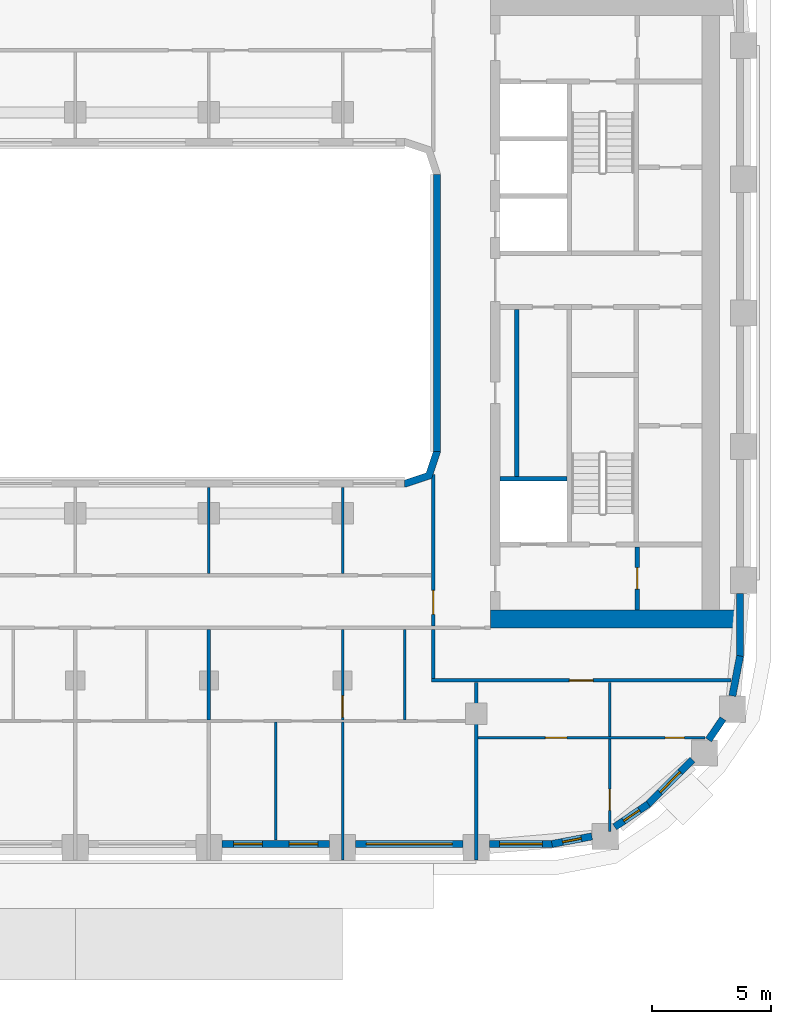
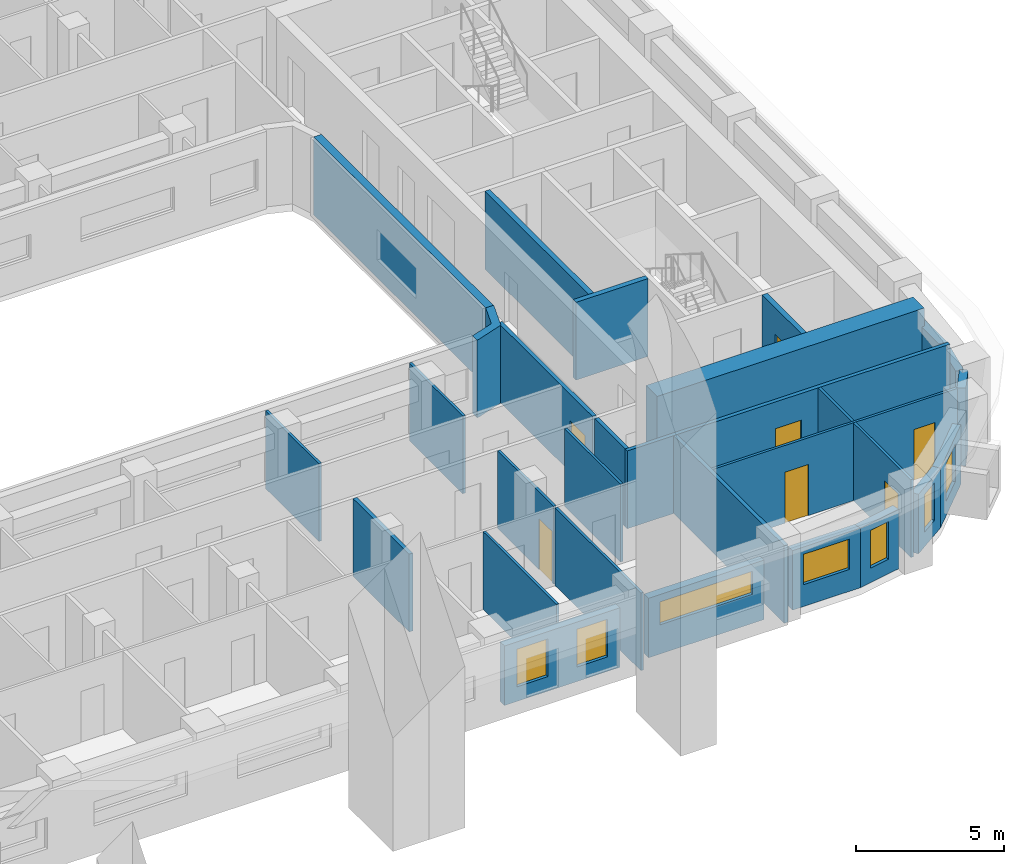
# One storey, part 5 of 18: 29 walls, 7 doors, 7 windows, 14 openings.
"""IFC4 building model written with IfcOpenShell, lengths in metres."""

from ifc_helpers import new_model, si_unit, direction, frame, frame_2d, origin, place, context, subcontext, project, spatial, polyline, rectangle, outline, extrude, material, layer, layer_set, type_object, element, fill, save


model = new_model("IFC4")

# Units and contexts
model_context = context("Model", 3, precision=1e-05, world=origin(), true_north=direction((0.0, 1.0)))
body_context = subcontext(model_context, "Body", "Model", "MODEL_VIEW")
ifc_project = project(units=[si_unit("LENGTHUNIT", "METRE"), si_unit("AREAUNIT", "SQUARE_METRE"), si_unit("VOLUMEUNIT", "CUBIC_METRE"), si_unit("PLANEANGLEUNIT", "RADIAN"), si_unit("MASSUNIT", "GRAM", prefix="KILO")], contexts=[model_context])

# Site, building, storey
site_placement = place(None, origin())
site = spatial("IfcSite", under=ifc_project, at=site_placement, CompositionType="ELEMENT")
building_placement = place(site_placement, origin())
building = spatial("IfcBuilding", under=site, at=building_placement, Name="Kiln Ring Residences", CompositionType="ELEMENT")
storey_placement = place(building_placement, frame((0.0, 0.0, 157.10009765625)))
storey = spatial("IfcBuildingStorey", under=building, at=storey_placement, Name="L40", CompositionType="ELEMENT", Elevation=157.10009765625)

# Wall
ifc_material_1 = material(Name="Gypsum board on steel studs", Category="steel")
ifc_layer_1 = layer(ifc_material_1, 0.199951171875)
ifc_layer_set_1 = layer_set([ifc_layer_1], Name="CORE-PARTITION-200")
wall_type_1 = type_object("IfcWallType", Name="CORE-PARTITION-200", PredefinedType="PARTITIONING", material=ifc_layer_set_1)
wall_1_placement = place(storey_placement, frame((18.5, -6.85009765625, 0.0), z_axis=(0.0, 0.0, 1.0), x_axis=(0.0, 1.0, 0.0)))
element("IfcWall", 1, at=wall_1_placement, inside=storey, type_object=wall_type_1, Name="Core partition east L40 3", PredefinedType="PARTITIONING", context=body_context, shape_type="SweptSolid", body=[
    extrude(rectangle(XDim=7.0, YDim=0.199951171875, at=frame_2d((3.5, 0.0))), origin(), (0.0, 0.0, 1.0), 3.199951171875),
])

# Wall, opening, door
wall_2_placement = place(storey_placement, frame((23.550048828125, -12.449951171875, 0.0), z_axis=(0.0, 0.0, 1.0), x_axis=(0.0, 1.0, 0.0)))
wall_2 = element("IfcWall", 2, at=wall_2_placement, inside=storey, type_object=wall_type_1, Name="Core partition east L40 5", PredefinedType="PARTITIONING", context=body_context, shape_type="SweptSolid", body=[
    extrude(rectangle(XDim=2.64990234375, YDim=0.199951171875, at=frame_2d((1.324951171875, 0.0))), origin(), (0.0, 0.0, 1.0), 3.199951171875),
])
opening_1_placement = place(wall_2_placement, frame((0.875, 0.0, 0.0)))
opening_1 = element("IfcOpeningElement", 3, at=opening_1_placement, cuts=wall_2, Name="Opening L40-CE10", PredefinedType="OPENING", context=body_context, shape_type="SweptSolid", body=[
    extrude(rectangle(XDim=0.89990234375, YDim=2.10009765625, at=frame_2d((0.449951171875, 1.050048828125))), frame((0.0, 0.10986328125, 0.0), z_axis=(0.0, -1.0, 0.0), x_axis=(1.0, 0.0, 0.0)), (0.0, 0.0, 1.0), 0.219970703125),
])
ifc_material_2 = material(Name="Steel door leaf", Category="steel")
door_type_1 = type_object("IfcDoorType", Name="CORE-DOOR-ROOM", OperationType="SINGLE_SWING_LEFT", PredefinedType="DOOR", material=ifc_material_2)
door_1_placement = place(opening_1_placement, origin())
door_1 = element("IfcDoor", 4, at=door_1_placement, inside=storey, type_object=door_type_1, Name="Store L40-CE10", OperationType="SINGLE_SWING_LEFT", OverallHeight=2.10009765625, OverallWidth=0.89990234375, PredefinedType="DOOR", context=body_context, shape_type="SweptSolid", body=[
    extrude(rectangle(XDim=0.89990234375, YDim=2.10009765625, at=frame_2d((0.449951171875, 1.050048828125))), frame((0.0, 0.02490234375, 0.0), z_axis=(0.0, -1.0, 0.0), x_axis=(1.0, 0.0, 0.0)), (0.0, 0.0, 1.0), 0.050048828125),
])
fill(opening_1, door_1)

# Walls
ifc_material_3 = material(Name="Gypsum shaft wall system")
ifc_layer_2 = layer(ifc_material_3, 0.199951171875)
ifc_layer_set_2 = layer_set([ifc_layer_2], Name="CORE-SHAFT-WALL-200")
wall_type_2 = type_object("IfcWallType", Name="CORE-SHAFT-WALL-200", PredefinedType="PARTITIONING", material=ifc_layer_set_2)
wall_3_placement = place(storey_placement, frame((17.800048828125, -6.949951171875, 0.0), z_axis=(0.0, 0.0, 1.0), x_axis=(1.0, 0.0, 0.0)))
element("IfcWall", 5, at=wall_3_placement, inside=storey, type_object=wall_type_2, Name="Core partition east L40 8", PredefinedType="PARTITIONING", context=body_context, shape_type="SweptSolid", body=[
    extrude(rectangle(XDim=2.800048828125, YDim=0.199951171875, at=frame_2d((1.39990234375, 0.0))), origin(), (0.0, 0.0, 1.0), 3.199951171875),
])
ifc_material_4 = material(Name="Concrete C60/75", Category="concrete")
ifc_layer_3 = layer(ifc_material_4, 0.75)
ifc_layer_set_3 = layer_set([ifc_layer_3], Name="CORE-WALL-RC750")
wall_type_3 = type_object("IfcWallType", Name="CORE-WALL-RC750", PredefinedType="SHEAR", material=ifc_layer_set_3)
wall_4_placement = place(storey_placement, frame((17.39990234375, -12.824951171875, 0.0), z_axis=(0.0, 0.0, 1.0), x_axis=(1.0, 0.0, 0.0)))
element("IfcWall", 6, at=wall_4_placement, inside=storey, type_object=wall_type_3, Name="Core wall east L40 5", PredefinedType="SHEAR", context=body_context, shape_type="SweptSolid", body=[
    extrude(rectangle(XDim=10.400146484375, YDim=0.75, at=frame_2d((5.2001953125, 0.0))), origin(), (0.0, 0.0, 1.0), 3.199951171875),
])

# Wall, openings, windows
ifc_material_5 = material(Name="Brick masonry, dark clay brick", Category="masonry")
ifc_layer_4 = layer(ifc_material_5, 0.300048828125)
ifc_layer_set_4 = layer_set([ifc_layer_4], Name="EW-300 BRICK WALL")
wall_type_4 = type_object("IfcWallType", Name="EW-300 BRICK WALL", PredefinedType="SOLIDWALL", material=ifc_layer_set_4)
wall_5_placement = place(storey_placement, frame((6.14990234375, -22.25, 0.0), z_axis=(0.0, 0.0, 1.0), x_axis=(1.0, 0.0, 0.0)))
wall_5 = element("IfcWall", 7, at=wall_5_placement, inside=storey, type_object=wall_type_4, Name="Facade wall L40 9", PredefinedType="SOLIDWALL", context=body_context, shape_type="SweptSolid", body=[
    extrude(rectangle(XDim=4.5, YDim=0.300048828125, at=frame_2d((2.25, 0.0))), origin(), (0.0, 0.0, 1.0), 2.449951171875),
])
opening_2_placement = place(wall_5_placement, frame((0.487548828125, 0.0, 0.60009765625)))
opening_2 = element("IfcOpeningElement", 8, at=opening_2_placement, cuts=wall_5, Name="Opening W1", PredefinedType="OPENING", context=body_context, shape_type="SweptSolid", body=[
    extrude(rectangle(XDim=1.199951171875, YDim=1.550048828125, at=frame_2d((0.60009765625, 0.77490234375))), frame((0.0, 0.159912109375, 0.0), z_axis=(0.0, -1.0, 0.0), x_axis=(1.0, 0.0, 0.0)), (0.0, 0.0, 1.0), 0.320068359375),
])
opening_3_placement = place(wall_5_placement, frame((2.8125, 0.0, 0.60009765625)))
opening_3 = element("IfcOpeningElement", 9, at=opening_3_placement, cuts=wall_5, Name="Opening W1", PredefinedType="OPENING", context=body_context, shape_type="SweptSolid", body=[
    extrude(rectangle(XDim=1.199951171875, YDim=1.550048828125, at=frame_2d((0.60009765625, 0.77490234375))), frame((0.0, 0.159912109375, 0.0), z_axis=(0.0, -1.0, 0.0), x_axis=(1.0, 0.0, 0.0)), (0.0, 0.0, 1.0), 0.320068359375),
])
ifc_material_6 = material(Name="Aluminium frame with double glazing", Category="aluminium")
window_type_1 = type_object("IfcWindowType", Name="WINDOW 1200 x 1550", PartitioningType="SINGLE_PANEL", PredefinedType="WINDOW", material=ifc_material_6)
window_1_placement = place(opening_2_placement, origin())
window_1 = element("IfcWindow", 10, at=window_1_placement, inside=storey, type_object=window_type_1, Name="Window L40 9", OverallHeight=1.550048828125, OverallWidth=1.199951171875, PartitioningType="SINGLE_PANEL", PredefinedType="WINDOW", context=body_context, shape_type="SweptSolid", body=[
    extrude(rectangle(XDim=1.199951171875, YDim=1.550048828125, at=frame_2d((0.60009765625, 0.77490234375))), frame((0.0, 0.030029296875, 0.0), z_axis=(0.0, -1.0, 0.0), x_axis=(1.0, 0.0, 0.0)), (0.0, 0.0, 1.0), 0.06005859375),
])
fill(opening_2, window_1)
window_2_placement = place(opening_3_placement, origin())
window_2 = element("IfcWindow", 11, at=window_2_placement, inside=storey, type_object=window_type_1, Name="Window L40 10", OverallHeight=1.550048828125, OverallWidth=1.199951171875, PartitioningType="SINGLE_PANEL", PredefinedType="WINDOW", context=body_context, shape_type="SweptSolid", body=[
    extrude(rectangle(XDim=1.199951171875, YDim=1.550048828125, at=frame_2d((0.60009765625, 0.77490234375))), frame((0.0, 0.030029296875, 0.0), z_axis=(0.0, -1.0, 0.0), x_axis=(1.0, 0.0, 0.0)), (0.0, 0.0, 1.0), 0.06005859375),
])
fill(opening_3, window_2)

# Wall, opening, window
wall_6_placement = place(storey_placement, frame((11.75, -22.25, 0.0), z_axis=(0.0, 0.0, 1.0), x_axis=(1.0, 0.0, 0.0)))
wall_6 = element("IfcWall", 12, at=wall_6_placement, inside=storey, type_object=wall_type_4, Name="Facade wall L40 10", PredefinedType="SOLIDWALL", context=body_context, shape_type="SweptSolid", body=[
    extrude(rectangle(XDim=4.5, YDim=0.300048828125, at=frame_2d((2.25, 0.0))), origin(), (0.0, 0.0, 1.0), 2.449951171875),
])
opening_4_placement = place(wall_6_placement, frame((0.449951171875, 0.0, 1.199951171875)))
opening_4 = element("IfcOpeningElement", 13, at=opening_4_placement, cuts=wall_6, Name="Opening W4", PredefinedType="OPENING", context=body_context, shape_type="SweptSolid", body=[
    extrude(rectangle(XDim=3.60009765625, YDim=0.949951171875, at=frame_2d((1.800048828125, 0.47509765625))), frame((0.0, 0.159912109375, 0.0), z_axis=(0.0, -1.0, 0.0), x_axis=(1.0, 0.0, 0.0)), (0.0, 0.0, 1.0), 0.320068359375),
])
ifc_material_7 = material(Name="Aluminium frame with double glazing", Category="aluminium")
window_type_2 = type_object("IfcWindowType", Name="WINDOW 3600 x 950", PartitioningType="SINGLE_PANEL", PredefinedType="WINDOW", material=ifc_material_7)
window_3_placement = place(opening_4_placement, origin())
window_3 = element("IfcWindow", 14, at=window_3_placement, inside=storey, type_object=window_type_2, Name="Window L40 11", OverallHeight=0.949951171875, OverallWidth=3.60009765625, PartitioningType="SINGLE_PANEL", PredefinedType="WINDOW", context=body_context, shape_type="SweptSolid", body=[
    extrude(rectangle(XDim=3.60009765625, YDim=0.949951171875, at=frame_2d((1.800048828125, 0.47509765625))), frame((0.0, 0.030029296875, 0.0), z_axis=(0.0, -1.0, 0.0), x_axis=(1.0, 0.0, 0.0)), (0.0, 0.0, 1.0), 0.06005859375),
])
fill(opening_4, window_3)

wall_7_placement = place(storey_placement, frame((17.35009765625, -22.25, 0.0), z_axis=(0.0, 0.0, 1.0), x_axis=(1.0, 0.0, 0.0)))
wall_7 = element("IfcWall", 15, at=wall_7_placement, inside=storey, type_object=wall_type_4, Name="Facade wall L40 11", PredefinedType="SOLIDWALL", context=body_context, shape_type="SweptSolid", body=[
    extrude(rectangle(XDim=2.64990234375, YDim=0.300048828125, at=frame_2d((1.324951171875, 0.0))), origin(), (0.0, 0.0, 1.0), 2.449951171875),
])
opening_5_placement = place(wall_7_placement, frame((0.425048828125, 0.0, 0.89990234375)))
opening_5 = element("IfcOpeningElement", 16, at=opening_5_placement, cuts=wall_7, Name="Opening W2", PredefinedType="OPENING", context=body_context, shape_type="SweptSolid", body=[
    extrude(rectangle(XDim=1.800048828125, YDim=1.25, at=frame_2d((0.89990234375, 0.625))), frame((0.0, 0.159912109375, 0.0), z_axis=(0.0, -1.0, 0.0), x_axis=(1.0, 0.0, 0.0)), (0.0, 0.0, 1.0), 0.320068359375),
])
ifc_material_8 = material(Name="Aluminium frame with double glazing", Category="aluminium")
window_type_3 = type_object("IfcWindowType", Name="WINDOW 1800 x 1250", PartitioningType="SINGLE_PANEL", PredefinedType="WINDOW", material=ifc_material_8)
window_4_placement = place(opening_5_placement, origin())
window_4 = element("IfcWindow", 17, at=window_4_placement, inside=storey, type_object=window_type_3, Name="Window L40 12", OverallHeight=1.25, OverallWidth=1.800048828125, PartitioningType="SINGLE_PANEL", PredefinedType="WINDOW", context=body_context, shape_type="SweptSolid", body=[
    extrude(rectangle(XDim=1.800048828125, YDim=1.25, at=frame_2d((0.89990234375, 0.625))), frame((0.0, 0.030029296875, 0.0), z_axis=(0.0, -1.0, 0.0), x_axis=(1.0, 0.0, 0.0)), (0.0, 0.0, 1.0), 0.06005859375),
])
fill(opening_5, window_4)

wall_8_placement = place(storey_placement, frame((19.971923828125, -22.252685546875, 0.0), z_axis=(0.0, 0.0, 1.0), x_axis=(0.982297206936, 0.187329114784, 0.0)))
wall_8 = element("IfcWall", 18, at=wall_8_placement, inside=storey, type_object=wall_type_4, Name="Facade wall L40 12", PredefinedType="SOLIDWALL", context=body_context, shape_type="SweptSolid", body=[
    extrude(rectangle(XDim=1.7060546875, YDim=0.300048828125, at=frame_2d((0.85302734375, 0.0))), origin(), (0.0, 0.0, 1.0), 2.449951171875),
])
opening_6_placement = place(wall_8_placement, frame((0.453125, 0.0, 0.60009765625)))
opening_6 = element("IfcOpeningElement", 19, at=opening_6_placement, cuts=wall_8, Name="Opening W5", PredefinedType="OPENING", context=body_context, shape_type="SweptSolid", body=[
    extrude(rectangle(XDim=0.800048828125, YDim=1.550048828125, at=frame_2d((0.39990234375, 0.77490234375))), frame((0.0, 0.159912109375, 0.0), z_axis=(0.0, -1.0, 0.0), x_axis=(1.0, 0.0, 0.0)), (0.0, 0.0, 1.0), 0.320068359375),
])
ifc_material_9 = material(Name="Aluminium frame with double glazing", Category="aluminium")
window_type_4 = type_object("IfcWindowType", Name="WINDOW 800 x 1550", PartitioningType="SINGLE_PANEL", PredefinedType="WINDOW", material=ifc_material_9)
window_5_placement = place(opening_6_placement, origin())
window_5 = element("IfcWindow", 20, at=window_5_placement, inside=storey, type_object=window_type_4, Name="Window L40 13", OverallHeight=1.550048828125, OverallWidth=0.800048828125, PartitioningType="SINGLE_PANEL", PredefinedType="WINDOW", context=body_context, shape_type="SweptSolid", body=[
    extrude(rectangle(XDim=0.800048828125, YDim=1.550048828125, at=frame_2d((0.39990234375, 0.77490234375))), frame((0.0, 0.030029296875, 0.0), z_axis=(0.0, -1.0, 0.0), x_axis=(1.0, 0.0, 0.0)), (0.0, 0.0, 1.0), 0.06005859375),
])
fill(opening_6, window_5)

wall_9_placement = place(storey_placement, frame((22.601806640625, -21.537841796875, 0.0), z_axis=(0.0, 0.0, 1.0), x_axis=(0.827040942766, 0.562141689424, 0.0)))
wall_9 = element("IfcWall", 21, at=wall_9_placement, inside=storey, type_object=wall_type_4, Name="Facade wall L40 13", PredefinedType="SOLIDWALL", context=body_context, shape_type="SweptSolid", body=[
    extrude(rectangle(XDim=1.7060546875, YDim=0.300048828125, at=frame_2d((0.85302734375, 0.0))), origin(), (0.0, 0.0, 1.0), 2.449951171875),
])
opening_7_placement = place(wall_9_placement, frame((0.453125, 0.0, 0.60009765625)))
opening_7 = element("IfcOpeningElement", 22, at=opening_7_placement, cuts=wall_9, Name="Opening W5", PredefinedType="OPENING", context=body_context, shape_type="SweptSolid", body=[
    extrude(rectangle(XDim=0.800048828125, YDim=1.550048828125, at=frame_2d((0.39990234375, 0.77490234375))), frame((0.0, 0.159912109375, 0.0), z_axis=(0.0, -1.0, 0.0), x_axis=(1.0, 0.0, 0.0)), (0.0, 0.0, 1.0), 0.320068359375),
])
window_6_placement = place(opening_7_placement, origin())
window_6 = element("IfcWindow", 23, at=window_6_placement, inside=storey, type_object=window_type_4, Name="Window L40 14", OverallHeight=1.550048828125, OverallWidth=0.800048828125, PartitioningType="SINGLE_PANEL", PredefinedType="WINDOW", context=body_context, shape_type="SweptSolid", body=[
    extrude(rectangle(XDim=0.800048828125, YDim=1.550048828125, at=frame_2d((0.39990234375, 0.77490234375))), frame((0.0, 0.030029296875, 0.0), z_axis=(0.0, -1.0, 0.0), x_axis=(1.0, 0.0, 0.0)), (0.0, 0.0, 1.0), 0.06005859375),
])
fill(opening_7, window_6)

wall_10_placement = place(storey_placement, frame((23.990966796875, -20.596923828125, 0.0), z_axis=(0.0, 0.0, 1.0), x_axis=(0.707106781187, 0.707106781187, 0.0)))
wall_10 = element("IfcWall", 24, at=wall_10_placement, inside=storey, type_object=wall_type_4, Name="Facade wall L40 14", PredefinedType="SOLIDWALL", context=body_context, shape_type="SweptSolid", body=[
    extrude(rectangle(XDim=2.64990234375, YDim=0.300048828125, at=frame_2d((1.324951171875, 0.0))), origin(), (0.0, 0.0, 1.0), 2.449951171875),
])
opening_8_placement = place(wall_10_placement, frame((0.72509765625, 0.0, 0.60009765625)))
opening_8 = element("IfcOpeningElement", 25, at=opening_8_placement, cuts=wall_10, Name="Opening W1", PredefinedType="OPENING", context=body_context, shape_type="SweptSolid", body=[
    extrude(rectangle(XDim=1.199951171875, YDim=1.550048828125, at=frame_2d((0.60009765625, 0.77490234375))), frame((0.0, 0.159912109375, 0.0), z_axis=(0.0, -1.0, 0.0), x_axis=(1.0, 0.0, 0.0)), (0.0, 0.0, 1.0), 0.320068359375),
])
window_7_placement = place(opening_8_placement, origin())
window_7 = element("IfcWindow", 26, at=window_7_placement, inside=storey, type_object=window_type_1, Name="Window L40 15", OverallHeight=1.550048828125, OverallWidth=1.199951171875, PartitioningType="SINGLE_PANEL", PredefinedType="WINDOW", context=body_context, shape_type="SweptSolid", body=[
    extrude(rectangle(XDim=1.199951171875, YDim=1.550048828125, at=frame_2d((0.60009765625, 0.77490234375))), frame((0.0, 0.030029296875, 0.0), z_axis=(0.0, -1.0, 0.0), x_axis=(1.0, 0.0, 0.0)), (0.0, 0.0, 1.0), 0.06005859375),
])
fill(opening_8, window_7)

# Walls
wall_11_placement = place(storey_placement, frame((26.532470703125, -17.892578125, 0.0), z_axis=(0.0, 0.0, 1.0), x_axis=(0.562105419172, 0.82706559458, 0.0)))
element("IfcWall", 27, at=wall_11_placement, inside=storey, type_object=wall_type_4, Name="Facade wall L40 15", PredefinedType="SOLIDWALL", context=body_context, shape_type="SweptSolid", body=[
    extrude(rectangle(XDim=1.0771484375, YDim=0.300048828125, at=frame_2d((0.53857421875, 0.0))), origin(), (0.0, 0.0, 1.0), 3.199951171875),
])
wall_12_placement = place(storey_placement, frame((27.532958984375, -16.0478515625, 0.0), z_axis=(0.0, 0.0, 1.0), x_axis=(0.187302784601, 0.982302227871, 0.0)))
element("IfcWall", 28, at=wall_12_placement, inside=storey, type_object=wall_type_4, Name="Facade wall L40 16", PredefinedType="SOLIDWALL", context=body_context, shape_type="SweptSolid", body=[
    extrude(rectangle(XDim=1.706298828125, YDim=0.300048828125, at=frame_2d((0.85302734375, 0.0))), origin(), (0.0, 0.0, 1.0), 2.449951171875),
])
wall_13_placement = place(storey_placement, frame((27.85009765625, -14.39990234375, 0.0), z_axis=(0.0, 0.0, 1.0), x_axis=(0.0, 1.0, 0.0)))
element("IfcWall", 29, at=wall_13_placement, inside=storey, type_object=wall_type_4, Name="Facade wall L40 17", PredefinedType="SOLIDWALL", context=body_context, shape_type="SweptSolid", body=[
    extrude(rectangle(XDim=2.64990234375, YDim=0.300048828125, at=frame_2d((1.324951171875, 0.0))), origin(), (0.0, 0.0, 1.0), 2.449951171875),
])
wall_14_placement = place(storey_placement, frame((15.14990234375, 5.800048828125, 0.0), z_axis=(0.0, 0.0, 1.0), x_axis=(0.0, -1.0, 0.0)))
element("IfcWall", 30, at=wall_14_placement, inside=storey, type_object=wall_type_4, Name="Facade wall L40 51", PredefinedType="SOLIDWALL", context=body_context, shape_type="SweptSolid", body=[
    extrude(rectangle(XDim=11.60009765625, YDim=0.300048828125, at=frame_2d((5.800048828125, 0.0))), origin(), (0.0, 0.0, 1.0), 3.199951171875),
])
wall_15_placement = place(storey_placement, origin())
element("IfcWall", 31, at=wall_15_placement, inside=storey, type_object=wall_type_4, Name="Corner wall L40 3", PredefinedType="SOLIDWALL", context=body_context, shape_type="SweptSolid", body=[
    extrude(outline(polyline([(14.937255859375, -6.937255859375), (15.300048828125, -5.8486328125), (15.300048828125, -5.800048828125), (15.0, -5.800048828125), (14.699951171875, -6.699951171875), (13.800048828125, -7.0), (13.800048828125, -7.300048828125), (13.8486328125, -7.300048828125), (14.937255859375, -6.937255859375)])), origin(), (0.0, 0.0, 1.0), 3.199951171875),
])

# Wall, openings, doors
ifc_material_10 = material(Name="Gypsum board on steel studs", Category="steel")
ifc_layer_5 = layer(ifc_material_10, 0.10009765625)
ifc_layer_set_5 = layer_set([ifc_layer_5], Name="PARTITION-100")
wall_type_5 = type_object("IfcWallType", Name="PARTITION-100", PredefinedType="PARTITIONING", material=ifc_layer_set_5)
wall_16_placement = place(storey_placement, frame((16.875, -17.800048828125, 0.0), z_axis=(0.0, 0.0, 1.0), x_axis=(1.0, 0.0, 0.0)))
wall_16 = element("IfcWall", 32, at=wall_16_placement, inside=storey, type_object=wall_type_5, Name="Partition 001", PredefinedType="PARTITIONING", context=body_context, shape_type="SweptSolid", body=[
    extrude(rectangle(XDim=9.51904296875, YDim=0.10009765625, at=frame_2d((4.759521484375, 0.0))), origin(), (0.0, 0.0, 1.0), 3.199951171875),
])
opening_9_placement = place(wall_16_placement, frame((7.843017578125, 0.0, 0.0)))
opening_9 = element("IfcOpeningElement", 33, at=opening_9_placement, cuts=wall_16, Name="Opening L40-D067", PredefinedType="OPENING", context=body_context, shape_type="SweptSolid", body=[
    extrude(rectangle(XDim=0.800048828125, YDim=2.10009765625, at=frame_2d((0.39990234375, 1.050048828125))), frame((0.0, 0.06005859375, 0.0), z_axis=(0.0, -1.0, 0.0), x_axis=(1.0, 0.0, 0.0)), (0.0, 0.0, 1.0), 0.1201171875),
])
opening_10_placement = place(wall_16_placement, frame((2.824951171875, 0.0, 0.0)))
opening_10 = element("IfcOpeningElement", 34, at=opening_10_placement, cuts=wall_16, Name="Opening L40-D068", PredefinedType="OPENING", context=body_context, shape_type="SweptSolid", body=[
    extrude(rectangle(XDim=0.89990234375, YDim=2.10009765625, at=frame_2d((0.449951171875, 1.050048828125))), frame((0.0, 0.06005859375, 0.0), z_axis=(0.0, -1.0, 0.0), x_axis=(1.0, 0.0, 0.0)), (0.0, 0.0, 1.0), 0.1201171875),
])
ifc_material_11 = material(Name="Timber door leaf", Category="wood")
door_type_2 = type_object("IfcDoorType", Name="FLAT-DOOR-800-PL", OperationType="SINGLE_SWING_LEFT", PredefinedType="DOOR", material=ifc_material_11)
door_2_placement = place(opening_9_placement, origin())
door_2 = element("IfcDoor", 35, at=door_2_placement, inside=storey, type_object=door_type_2, Name="Door L40-D067", OperationType="SINGLE_SWING_LEFT", OverallHeight=2.10009765625, OverallWidth=0.800048828125, PredefinedType="DOOR", context=body_context, shape_type="SweptSolid", body=[
    extrude(rectangle(XDim=0.800048828125, YDim=2.10009765625, at=frame_2d((0.39990234375, 1.050048828125))), frame((0.0, 0.02490234375, 0.0), z_axis=(0.0, -1.0, 0.0), x_axis=(1.0, 0.0, 0.0)), (0.0, 0.0, 1.0), 0.050048828125),
])
fill(opening_9, door_2)
ifc_material_12 = material(Name="Timber door leaf", Category="wood")
door_type_3 = type_object("IfcDoorType", Name="FLAT-DOOR-900-PL", OperationType="SINGLE_SWING_LEFT", PredefinedType="DOOR", material=ifc_material_12)
door_3_placement = place(opening_10_placement, origin())
door_3 = element("IfcDoor", 36, at=door_3_placement, inside=storey, type_object=door_type_3, Name="Door L40-D068", OperationType="SINGLE_SWING_RIGHT", OverallHeight=2.10009765625, OverallWidth=0.89990234375, PredefinedType="DOOR", context=body_context, shape_type="SweptSolid", body=[
    extrude(rectangle(XDim=0.89990234375, YDim=2.10009765625, at=frame_2d((0.449951171875, 1.050048828125))), frame((0.0, 0.02490234375, 0.0), z_axis=(0.0, -1.0, 0.0), x_axis=(1.0, 0.0, 0.0)), (0.0, 0.0, 1.0), 0.050048828125),
])
fill(opening_10, door_3)

# Walls
wall_17_placement = place(storey_placement, frame((5.60009765625, -10.925048828125, 0.0), z_axis=(0.0, 0.0, 1.0), x_axis=(0.0, 1.0, 0.0)))
element("IfcWall", 37, at=wall_17_placement, inside=storey, type_object=wall_type_5, Name="Partition 050", PredefinedType="PARTITIONING", context=body_context, shape_type="SweptSolid", body=[
    extrude(rectangle(XDim=3.60498046875, YDim=0.10009765625, at=frame_2d((1.802490234375, 0.0))), origin(), (0.0, 0.0, 1.0), 3.199951171875),
])
wall_18_placement = place(storey_placement, frame((8.39990234375, -22.080078125, 0.0), z_axis=(0.0, 0.0, 1.0), x_axis=(0.0, 1.0, 0.0)))
element("IfcWall", 38, at=wall_18_placement, inside=storey, type_object=wall_type_5, Name="Partition 056", PredefinedType="PARTITIONING", context=body_context, shape_type="SweptSolid", body=[
    extrude(rectangle(XDim=4.93017578125, YDim=0.10009765625, at=frame_2d((2.465087890625, 0.0))), origin(), (0.0, 0.0, 1.0), 3.199951171875),
])
wall_19_placement = place(storey_placement, frame((11.199951171875, -22.929931640625, 0.0), z_axis=(0.0, 0.0, 1.0), x_axis=(0.0, 1.0, 0.0)))
element("IfcWall", 39, at=wall_19_placement, inside=storey, type_object=wall_type_5, Name="Partition 059", PredefinedType="PARTITIONING", context=body_context, shape_type="SweptSolid", body=[
    extrude(rectangle(XDim=5.780029296875, YDim=0.10009765625, at=frame_2d((2.89013671875, 0.0))), origin(), (0.0, 0.0, 1.0), 3.199951171875),
])

# Wall, opening, door
wall_20_placement = place(storey_placement, frame((11.199951171875, -17.050048828125, 0.0), z_axis=(0.0, 0.0, 1.0), x_axis=(0.0, 1.0, 0.0)))
wall_20 = element("IfcWall", 40, at=wall_20_placement, inside=storey, type_object=wall_type_5, Name="Partition 060", PredefinedType="PARTITIONING", context=body_context, shape_type="SweptSolid", body=[
    extrude(rectangle(XDim=3.775146484375, YDim=0.10009765625, at=frame_2d((1.8876953125, 0.0))), origin(), (0.0, 0.0, 1.0), 3.199951171875),
])
opening_11_placement = place(wall_20_placement, frame((0.10009765625, 0.0, 0.0)))
opening_11 = element("IfcOpeningElement", 41, at=opening_11_placement, cuts=wall_20, Name="Opening L40-D061", PredefinedType="OPENING", context=body_context, shape_type="SweptSolid", body=[
    extrude(rectangle(XDim=0.89990234375, YDim=2.10009765625, at=frame_2d((0.449951171875, 1.050048828125))), frame((0.0, 0.06005859375, 0.0), z_axis=(0.0, -1.0, 0.0), x_axis=(1.0, 0.0, 0.0)), (0.0, 0.0, 1.0), 0.1201171875),
])
door_4_placement = place(opening_11_placement, origin())
door_4 = element("IfcDoor", 42, at=door_4_placement, inside=storey, type_object=door_type_3, Name="Door L40-D061", OperationType="SINGLE_SWING_LEFT", OverallHeight=2.10009765625, OverallWidth=0.89990234375, PredefinedType="DOOR", context=body_context, shape_type="SweptSolid", body=[
    extrude(rectangle(XDim=0.89990234375, YDim=2.10009765625, at=frame_2d((0.449951171875, 1.050048828125))), frame((0.0, 0.02490234375, 0.0), z_axis=(0.0, -1.0, 0.0), x_axis=(1.0, 0.0, 0.0)), (0.0, 0.0, 1.0), 0.050048828125),
])
fill(opening_11, door_4)

# Walls
wall_21_placement = place(storey_placement, frame((11.199951171875, -10.925048828125, 0.0), z_axis=(0.0, 0.0, 1.0), x_axis=(0.0, 1.0, 0.0)))
element("IfcWall", 43, at=wall_21_placement, inside=storey, type_object=wall_type_5, Name="Partition 061", PredefinedType="PARTITIONING", context=body_context, shape_type="SweptSolid", body=[
    extrude(rectangle(XDim=3.60498046875, YDim=0.10009765625, at=frame_2d((1.802490234375, 0.0))), origin(), (0.0, 0.0, 1.0), 3.199951171875),
])
wall_22_placement = place(storey_placement, frame((13.800048828125, -17.050048828125, 0.0), z_axis=(0.0, 0.0, 1.0), x_axis=(0.0, 1.0, 0.0)))
element("IfcWall", 44, at=wall_22_placement, inside=storey, type_object=wall_type_5, Name="Partition 065", PredefinedType="PARTITIONING", context=body_context, shape_type="SweptSolid", body=[
    extrude(rectangle(XDim=3.775146484375, YDim=0.10009765625, at=frame_2d((1.8876953125, 0.0))), origin(), (0.0, 0.0, 1.0), 3.199951171875),
])

# Wall, opening, door
wall_23_placement = place(storey_placement, frame((22.39990234375, -21.719970703125, 0.0), z_axis=(0.0, 0.0, 1.0), x_axis=(0.0, 1.0, 0.0)))
wall_23 = element("IfcWall", 45, at=wall_23_placement, inside=storey, type_object=wall_type_5, Name="Partition 073", PredefinedType="PARTITIONING", context=body_context, shape_type="SweptSolid", body=[
    extrude(rectangle(XDim=3.869873046875, YDim=0.10009765625, at=frame_2d((1.93505859375, 0.0))), origin(), (0.0, 0.0, 1.0), 3.199951171875),
])
opening_12_placement = place(wall_23_placement, frame((0.8720703125, 0.0, 0.0)))
opening_12 = element("IfcOpeningElement", 46, at=opening_12_placement, cuts=wall_23, Name="Opening L40-D069", PredefinedType="OPENING", context=body_context, shape_type="SweptSolid", body=[
    extrude(rectangle(XDim=0.89990234375, YDim=2.10009765625, at=frame_2d((0.449951171875, 1.050048828125))), frame((0.0, 0.06005859375, 0.0), z_axis=(0.0, -1.0, 0.0), x_axis=(1.0, 0.0, 0.0)), (0.0, 0.0, 1.0), 0.1201171875),
])
door_5_placement = place(opening_12_placement, origin())
door_5 = element("IfcDoor", 47, at=door_5_placement, inside=storey, type_object=door_type_3, Name="Door L40-D069", OperationType="SINGLE_SWING_LEFT", OverallHeight=2.10009765625, OverallWidth=0.89990234375, PredefinedType="DOOR", context=body_context, shape_type="SweptSolid", body=[
    extrude(rectangle(XDim=0.89990234375, YDim=2.10009765625, at=frame_2d((0.449951171875, 1.050048828125))), frame((0.0, 0.02490234375, 0.0), z_axis=(0.0, -1.0, 0.0), x_axis=(1.0, 0.0, 0.0)), (0.0, 0.0, 1.0), 0.050048828125),
])
fill(opening_12, door_5)

# Wall
wall_24_placement = place(storey_placement, frame((22.39990234375, -17.75, 0.0), z_axis=(0.0, 0.0, 1.0), x_axis=(0.0, 1.0, 0.0)))
element("IfcWall", 48, at=wall_24_placement, inside=storey, type_object=wall_type_5, Name="Partition 074", PredefinedType="PARTITIONING", context=body_context, shape_type="SweptSolid", body=[
    extrude(rectangle(XDim=2.27490234375, YDim=0.10009765625, at=frame_2d((1.137451171875, 0.0))), origin(), (0.0, 0.0, 1.0), 3.199951171875),
])

# Wall, opening, door
ifc_material_13 = material(Name="Brick masonry partition", Category="masonry")
ifc_layer_6 = layer(ifc_material_13, 0.14990234375)
ifc_layer_set_6 = layer_set([ifc_layer_6], Name="PARTITION-150-ei60")
wall_type_6 = type_object("IfcWallType", Name="PARTITION-150-ei60", PredefinedType="PARTITIONING", material=ifc_layer_set_6)
wall_25_placement = place(storey_placement, frame((14.925048828125, -15.39990234375, 0.0), z_axis=(0.0, 0.0, 1.0), x_axis=(1.0, 0.0, 0.0)))
wall_25 = element("IfcWall", 49, at=wall_25_placement, inside=storey, type_object=wall_type_6, Name="Partition 004", PredefinedType="PARTITIONING", context=body_context, shape_type="SweptSolid", body=[
    extrude(rectangle(XDim=12.558837890625, YDim=0.14990234375, at=frame_2d((6.279296875, 0.0))), origin(), (0.0, 0.0, 1.0), 3.199951171875),
])
opening_13_placement = place(wall_25_placement, frame((5.77490234375, 0.0, 0.0)))
opening_13 = element("IfcOpeningElement", 50, at=opening_13_placement, cuts=wall_25, Name="Opening L40-D066", PredefinedType="OPENING", context=body_context, shape_type="SweptSolid", body=[
    extrude(rectangle(XDim=1.0, YDim=2.10009765625, at=frame_2d((0.5, 1.050048828125))), frame((0.0, 0.0849609375, 0.0), z_axis=(0.0, -1.0, 0.0), x_axis=(1.0, 0.0, 0.0)), (0.0, 0.0, 1.0), 0.169921875),
])
ifc_material_14 = material(Name="Steel faced fire door leaf", Category="steel")
door_type_4 = type_object("IfcDoorType", Name="FLAT-DOOR-1000-FR", OperationType="SINGLE_SWING_LEFT", PredefinedType="DOOR", material=ifc_material_14)
door_6_placement = place(opening_13_placement, origin())
door_6 = element("IfcDoor", 51, at=door_6_placement, inside=storey, type_object=door_type_4, Name="Door L40-D066", OperationType="SINGLE_SWING_RIGHT", OverallHeight=2.10009765625, OverallWidth=1.0, PredefinedType="DOOR", context=body_context, shape_type="SweptSolid", body=[
    extrude(rectangle(XDim=1.0, YDim=2.10009765625, at=frame_2d((0.5, 1.050048828125))), frame((0.0, 0.02490234375, 0.0), z_axis=(0.0, -1.0, 0.0), x_axis=(1.0, 0.0, 0.0)), (0.0, 0.0, 1.0), 0.050048828125),
])
fill(opening_13, door_6)

# Walls
wall_26_placement = place(storey_placement, frame((5.60009765625, -17.050048828125, 0.0), z_axis=(0.0, 0.0, 1.0), x_axis=(0.0, 1.0, 0.0)))
element("IfcWall", 52, at=wall_26_placement, inside=storey, type_object=wall_type_6, Name="Partition 053", PredefinedType="PARTITIONING", context=body_context, shape_type="SweptSolid", body=[
    extrude(rectangle(XDim=3.775146484375, YDim=0.14990234375, at=frame_2d((1.8876953125, 0.0))), origin(), (0.0, 0.0, 1.0), 3.199951171875),
])
wall_27_placement = place(storey_placement, frame((15.0, -15.324951171875, 0.0), z_axis=(0.0, 0.0, 1.0), x_axis=(0.0, 1.0, 0.0)))
element("IfcWall", 53, at=wall_27_placement, inside=storey, type_object=wall_type_6, Name="Partition 067", PredefinedType="PARTITIONING", context=body_context, shape_type="SweptSolid", body=[
    extrude(rectangle(XDim=2.050048828125, YDim=0.14990234375, at=frame_2d((1.02490234375, 0.0))), origin(), (0.0, 0.0, 1.0), 3.199951171875),
])

# Wall, opening, door
wall_28_placement = place(storey_placement, frame((15.0, -13.125, 0.0), z_axis=(0.0, 0.0, 1.0), x_axis=(0.0, 1.0, 0.0)))
wall_28 = element("IfcWall", 54, at=wall_28_placement, inside=storey, type_object=wall_type_6, Name="Partition 068", PredefinedType="PARTITIONING", context=body_context, shape_type="SweptSolid", body=[
    extrude(rectangle(XDim=6.356201171875, YDim=0.14990234375, at=frame_2d((3.17822265625, 0.0))), origin(), (0.0, 0.0, 1.0), 3.199951171875),
])
opening_14_placement = place(wall_28_placement, frame((0.49609375, 0.0, 0.0)))
opening_14 = element("IfcOpeningElement", 55, at=opening_14_placement, cuts=wall_28, Name="Opening L40-D006", PredefinedType="OPENING", context=body_context, shape_type="SweptSolid", body=[
    extrude(rectangle(XDim=1.0, YDim=2.10009765625, at=frame_2d((0.5, 1.050048828125))), frame((0.0, 0.0849609375, 0.0), z_axis=(0.0, -1.0, 0.0), x_axis=(1.0, 0.0, 0.0)), (0.0, 0.0, 1.0), 0.169921875),
])
door_7_placement = place(opening_14_placement, origin())
door_7 = element("IfcDoor", 56, at=door_7_placement, inside=storey, type_object=door_type_4, Name="Door L40-D006", OperationType="SINGLE_SWING_LEFT", OverallHeight=2.10009765625, OverallWidth=1.0, PredefinedType="DOOR", context=body_context, shape_type="SweptSolid", body=[
    extrude(rectangle(XDim=1.0, YDim=2.10009765625, at=frame_2d((0.5, 1.050048828125))), frame((0.0, 0.02490234375, 0.0), z_axis=(0.0, -1.0, 0.0), x_axis=(1.0, 0.0, 0.0)), (0.0, 0.0, 1.0), 0.050048828125),
])
fill(opening_14, door_7)

# Wall
wall_29_placement = place(storey_placement, frame((16.800048828125, -22.929931640625, 0.0), z_axis=(0.0, 0.0, 1.0), x_axis=(0.0, 1.0, 0.0)))
element("IfcWall", 57, at=wall_29_placement, inside=storey, type_object=wall_type_6, Name="Partition 071", PredefinedType="PARTITIONING", context=body_context, shape_type="SweptSolid", body=[
    extrude(rectangle(XDim=7.454833984375, YDim=0.14990234375, at=frame_2d((3.7275390625, 0.0))), origin(), (0.0, 0.0, 1.0), 3.199951171875),
])

save(model, "model.ifc")
